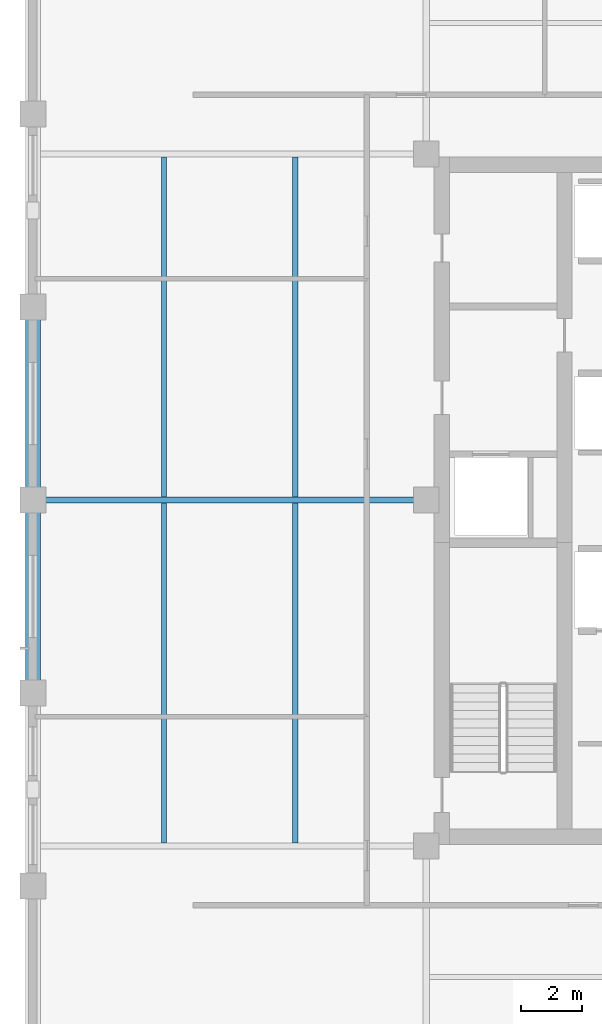
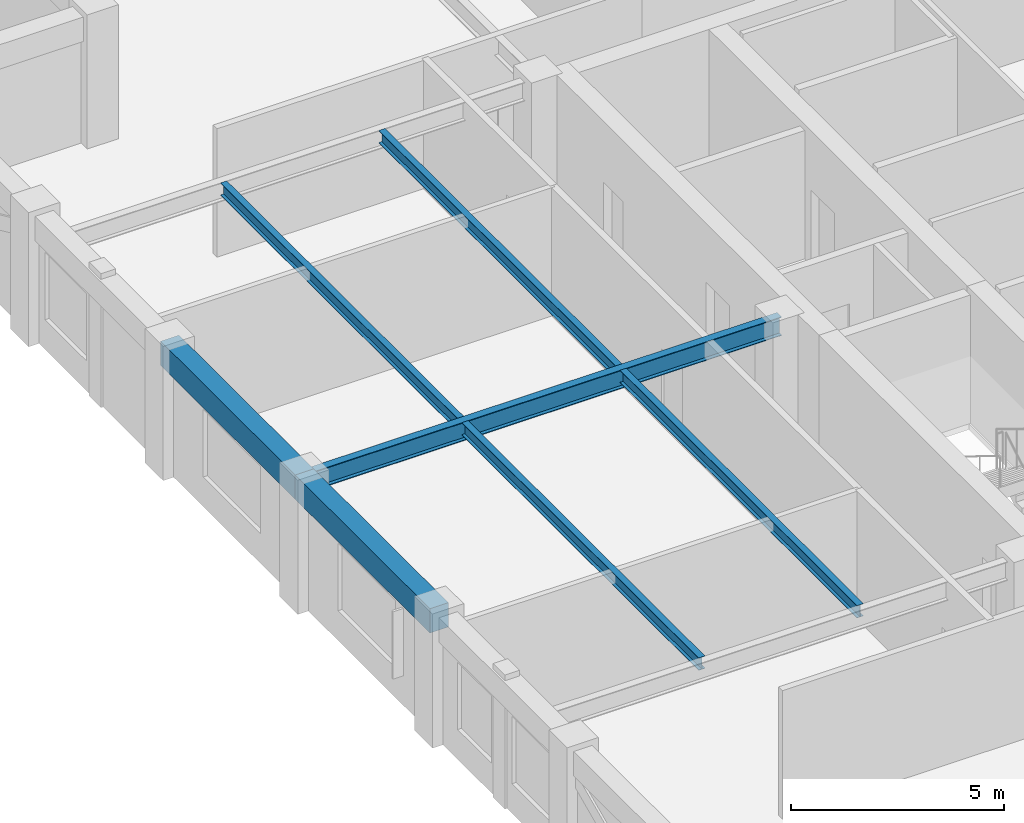
# One storey, part 3 of 13: 7 beams.
"""IFC4 building model written with IfcOpenShell, lengths in metres."""

from ifc_helpers import new_model, si_unit, direction, frame, origin, origin_2d, place, context, subcontext, project, spatial, rectangle, i_section, extrude, material, material_profile, profile_set, type_object, element, save


model = new_model("IFC4")

# Units and contexts
model_context = context("Model", 3, precision=1e-05, world=origin(), true_north=direction((0.0, 1.0)))
body_context = subcontext(model_context, "Body", "Model", "MODEL_VIEW")
ifc_project = project(units=[si_unit("LENGTHUNIT", "METRE"), si_unit("AREAUNIT", "SQUARE_METRE"), si_unit("VOLUMEUNIT", "CUBIC_METRE"), si_unit("PLANEANGLEUNIT", "RADIAN"), si_unit("MASSUNIT", "GRAM", prefix="KILO")], contexts=[model_context])

# Site, building, storey
site_placement = place(None, origin())
site = spatial("IfcSite", under=ifc_project, at=site_placement, CompositionType="ELEMENT")
building_placement = place(site_placement, origin())
building = spatial("IfcBuilding", under=site, at=building_placement, Name="Nhamokura Convention Tower", CompositionType="ELEMENT")
storey_placement = place(building_placement, frame((0.0, 0.0, 213.85009765625)))
storey = spatial("IfcBuildingStorey", under=building, at=storey_placement, Name="L52", CompositionType="ELEMENT", Elevation=213.85009765625)

# Beams
ifc_material_1 = material(Name="Steel ASTM A992 Gr 50", Category="steel")
ifc_material_profile_1 = material_profile(ifc_material_1, i_section(OverallWidth=0.172119140625, OverallDepth=0.35791015625, WebThickness=0.0078125, FlangeThickness=0.01318359375, at=origin_2d()))
ifc_profile_set_1 = profile_set([ifc_material_profile_1], Name="Steel ASTM A992 Gr 50")
beam_type_1 = type_object("IfcBeamType", Name="FloorJoist_W360X57", PredefinedType="JOIST", material=ifc_profile_set_1)
for number, where, z_axis, x_axis, name in (
    (1, (12.050048828125, 20.75341796875, 3.505859375), (0.0, 1.0, 0.0), (-1.0, 0.0, 0.0), "L52 Composite Floor Joist W1A"),
    (2, (12.050048828125, 32.103515625, 3.505859375), (0.0, 1.0, 0.0), (-1.0, 0.0, 0.0), "L52 Composite Floor Joist W1B"),
    (3, (16.35009765625, 20.75341796875, 3.505859375), (0.0, 1.0, 0.0), (-1.0, 0.0, 0.0), "L52 Composite Floor Joist W2A"),
    (4, (16.35009765625, 32.103515625, 3.505859375), (0.0, 1.0, 0.0), (-1.0, 0.0, 0.0), "L52 Composite Floor Joist W2B"),
):
    element("IfcBeam", number, at=place(storey_placement, frame(where, z_axis=z_axis, x_axis=x_axis)), inside=storey, type_object=beam_type_1, Name=name, PredefinedType="JOIST", context=body_context, shape_type="SweptSolid", body=[
        extrude(i_section(OverallWidth=0.172119140625, OverallDepth=0.35791015625, WebThickness=0.0078125, FlangeThickness=0.01318359375, at=origin_2d()), origin(), (0.0, 0.0, 1.0), 11.14306640625),
    ])
ifc_material_2 = material(Name="Steel ASTM A992 Gr 50", Category="steel")
ifc_material_profile_2 = material_profile(ifc_material_2, i_section(OverallWidth=0.2109375, OverallDepth=0.5390625, WebThickness=0.01171875, FlangeThickness=0.018798828125, at=origin_2d()))
ifc_profile_set_2 = profile_set([ifc_material_profile_2], Name="Steel ASTM A992 Gr 50")
beam_type_2 = type_object("IfcBeamType", Name="PrimaryGirder_W530X109", PredefinedType="BEAM", material=ifc_profile_set_2)
beam_placement = place(storey_placement, frame((7.75, 32.0, 3.415283203125), z_axis=(1.0, 0.0, 0.0), x_axis=(0.0, 1.0, 0.0)))
element("IfcBeam", 5, at=beam_placement, inside=storey, type_object=beam_type_2, Name="L52 Primary Floor Girder PG-W2", PredefinedType="BEAM", context=body_context, shape_type="SweptSolid", body=[
    extrude(i_section(OverallWidth=0.2109375, OverallDepth=0.5390625, WebThickness=0.01171875, FlangeThickness=0.018798828125, at=origin_2d()), origin(), (0.0, 0.0, 1.0), 12.89990234375),
])
ifc_material_3 = material(Name="Concrete C50/60", Category="concrete")
ifc_material_profile_3 = material_profile(ifc_material_3, rectangle(XDim=0.5, YDim=0.699951171875, at=origin_2d()))
ifc_profile_set_3 = profile_set([ifc_material_profile_3], Name="Concrete C50/60")
beam_type_3 = type_object("IfcBeamType", Name="TubeSpandrel_700", PredefinedType="SPANDREL", material=ifc_profile_set_3)
for number, where, z_axis, x_axis, name in (
    (6, (7.75, 25.666748046875, 3.3349609375), (0.0, 1.0, 0.0), (-1.0, 0.0, 0.0), "L52 Perimeter Spandrel WEST 3"),
    (7, (7.75, 32.0, 3.3349609375), (0.0, 1.0, 0.0), (-1.0, 0.0, 0.0), "L52 Perimeter Spandrel WEST 4"),
):
    element("IfcBeam", number, at=place(storey_placement, frame(where, z_axis=z_axis, x_axis=x_axis)), inside=storey, type_object=beam_type_3, Name=name, PredefinedType="SPANDREL", context=body_context, shape_type="SweptSolid", body=[
        extrude(rectangle(XDim=0.5, YDim=0.699951171875, at=origin_2d()), origin(), (0.0, 0.0, 1.0), 6.333251953125),
    ])

save(model, "model.ifc")
